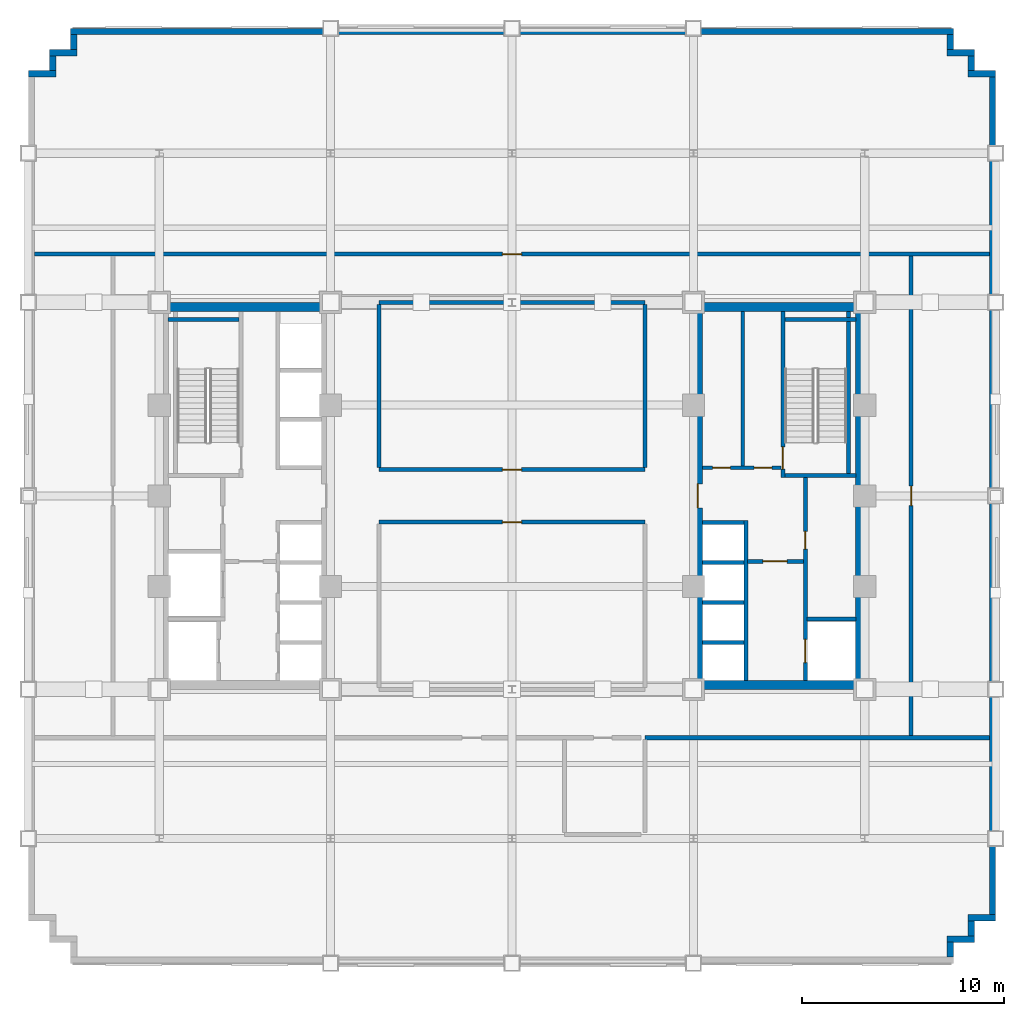
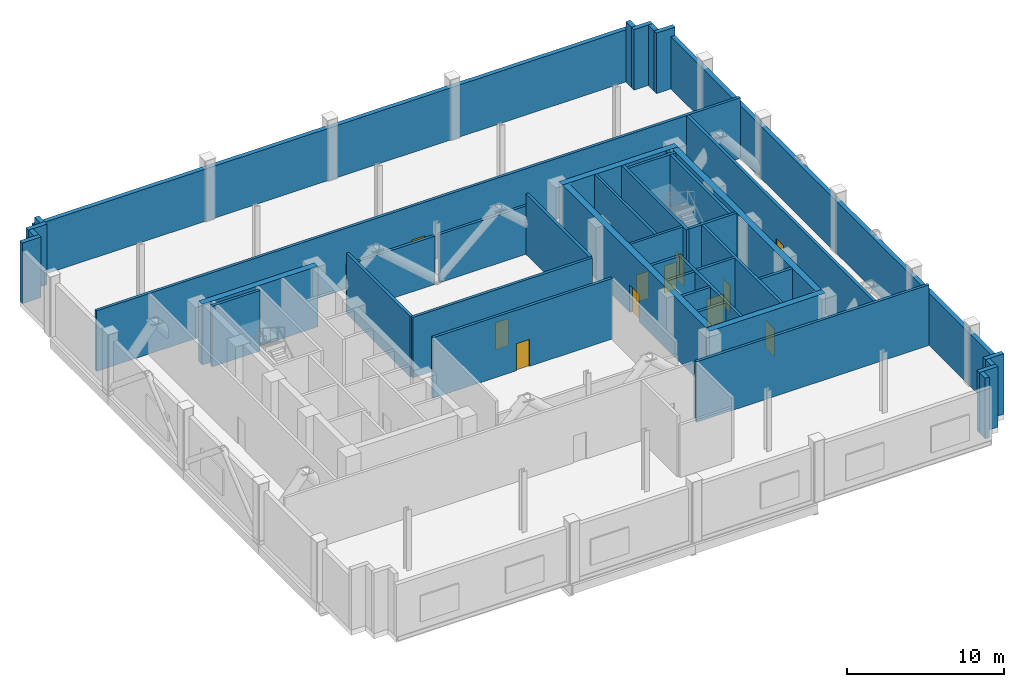
# One storey, part 7 of 12: 43 walls, 11 doors, 11 openings.
"""IFC4 building model written with IfcOpenShell, lengths in metres."""

from ifc_helpers import new_model, si_unit, direction, frame, frame_2d, origin, place, context, subcontext, project, spatial, rectangle, extrude, source, transform, mapped, material, layer, layer_set, type_object, type_shapes, element, fill, save


model = new_model("IFC4")

# Units and contexts
model_context = context("Model", 3, precision=1e-05, world=origin(), true_north=direction((0.0, 1.0)))
body_context = subcontext(model_context, "Body", "Model", "MODEL_VIEW")
ifc_project = project(units=[si_unit("LENGTHUNIT", "METRE"), si_unit("AREAUNIT", "SQUARE_METRE"), si_unit("VOLUMEUNIT", "CUBIC_METRE"), si_unit("PLANEANGLEUNIT", "RADIAN"), si_unit("MASSUNIT", "GRAM", prefix="KILO")], contexts=[model_context])

# Site, building, storey
site_placement = place(None, origin())
site = spatial("IfcSite", under=ifc_project, at=site_placement, CompositionType="ELEMENT")
building_placement = place(site_placement, origin())
building = spatial("IfcBuilding", under=site, at=building_placement, Name="Nuvemarco Arch Tower", CompositionType="ELEMENT")
storey_placement = place(building_placement, frame((0.0, 0.0, 93.300048828125)))
storey = spatial("IfcBuildingStorey", under=building, at=storey_placement, Name="L24", CompositionType="ELEMENT", Elevation=93.300048828125)

# Walls
ifc_material_1 = material(Name="Precast concrete C45/55", Category="concrete")
ifc_layer_1 = layer(ifc_material_1, 0.320068359375, Name="EW-MID-320")
ifc_layer_set_1 = layer_set([ifc_layer_1], Name="Precast concrete C45/55")
wall_type_1 = type_object("IfcWallType", Name="EW-MID-320", PredefinedType="STANDARD", material=ifc_layer_set_1)
wall_1_placement = place(storey_placement, frame((21.739990234375, -22.884033203125, 0.0), z_axis=(0.0, 0.0, 1.0), x_axis=(0.0, 1.0, 0.0)))
element("IfcWall", 1, at=wall_1_placement, inside=storey, type_object=wall_type_1, Name="L24 exterior precast facade wall 2", PredefinedType="STANDARD", context=body_context, shape_type="SweptSolid", body=[
    extrude(rectangle(XDim=0.738037109375, YDim=0.320068359375, at=frame_2d((0.369140625, 0.0))), origin(), (0.0, 0.0, 1.0), 4.7099609375),
])
wall_2_placement = place(storey_placement, frame((21.580078125, -21.989990234375, 0.0), z_axis=(0.0, 0.0, 1.0), x_axis=(1.0, 0.0, 0.0)))
element("IfcWall", 2, at=wall_2_placement, inside=storey, type_object=wall_type_1, Name="L24 exterior precast facade wall 3", PredefinedType="STANDARD", context=body_context, shape_type="SweptSolid", body=[
    extrude(rectangle(XDim=1.369873046875, YDim=0.320068359375, at=frame_2d((0.68505859375, 0.0))), origin(), (0.0, 0.0, 1.0), 4.7099609375),
])
wall_3_placement = place(storey_placement, frame((22.7900390625, -21.833984375, 0.0), z_axis=(0.0, 0.0, 1.0), x_axis=(0.0, 1.0, 0.0)))
element("IfcWall", 3, at=wall_3_placement, inside=storey, type_object=wall_type_1, Name="L24 exterior precast facade wall 4", PredefinedType="STANDARD", context=body_context, shape_type="SweptSolid", body=[
    extrude(rectangle(XDim=0.738037109375, YDim=0.320068359375, at=frame_2d((0.369140625, 0.0))), origin(), (0.0, 0.0, 1.0), 4.7099609375),
])
wall_4_placement = place(storey_placement, frame((22.6298828125, -20.93994140625, 0.0), z_axis=(0.0, 0.0, 1.0), x_axis=(1.0, 0.0, 0.0)))
element("IfcWall", 4, at=wall_4_placement, inside=storey, type_object=wall_type_1, Name="L24 exterior precast facade wall 5", PredefinedType="STANDARD", context=body_context, shape_type="SweptSolid", body=[
    extrude(rectangle(XDim=1.3701171875, YDim=0.320068359375, at=frame_2d((0.68505859375, 0.0))), origin(), (0.0, 0.0, 1.0), 4.7099609375),
])
wall_5_placement = place(storey_placement, frame((23.840087890625, -20.783935546875, 0.0), z_axis=(0.0, 0.0, 1.0), x_axis=(0.0, 1.0, 0.0)))
element("IfcWall", 5, at=wall_5_placement, inside=storey, type_object=wall_type_1, Name="L24 exterior precast facade wall 6", PredefinedType="STANDARD", context=body_context, shape_type="SweptSolid", body=[
    extrude(rectangle(XDim=41.56787109375, YDim=0.320068359375, at=frame_2d((20.783935546875, 0.0))), origin(), (0.0, 0.0, 1.0), 4.054931640625),
])
wall_6_placement = place(storey_placement, frame((22.6298828125, 20.93994140625, 0.0), z_axis=(0.0, 0.0, 1.0), x_axis=(1.0, 0.0, 0.0)))
element("IfcWall", 6, at=wall_6_placement, inside=storey, type_object=wall_type_1, Name="L24 exterior precast facade wall 7", PredefinedType="STANDARD", context=body_context, shape_type="SweptSolid", body=[
    extrude(rectangle(XDim=1.3701171875, YDim=0.320068359375, at=frame_2d((0.68505859375, 0.0))), origin(), (0.0, 0.0, 1.0), 4.7099609375),
])
wall_7_placement = place(storey_placement, frame((22.7900390625, 21.095947265625, 0.0), z_axis=(0.0, 0.0, 1.0), x_axis=(0.0, 1.0, 0.0)))
element("IfcWall", 7, at=wall_7_placement, inside=storey, type_object=wall_type_1, Name="L24 exterior precast facade wall 8", PredefinedType="STANDARD", context=body_context, shape_type="SweptSolid", body=[
    extrude(rectangle(XDim=0.738037109375, YDim=0.320068359375, at=frame_2d((0.369140625, 0.0))), origin(), (0.0, 0.0, 1.0), 4.7099609375),
])
wall_8_placement = place(storey_placement, frame((21.580078125, 21.989990234375, 0.0), z_axis=(0.0, 0.0, 1.0), x_axis=(1.0, 0.0, 0.0)))
element("IfcWall", 8, at=wall_8_placement, inside=storey, type_object=wall_type_1, Name="L24 exterior precast facade wall 9", PredefinedType="STANDARD", context=body_context, shape_type="SweptSolid", body=[
    extrude(rectangle(XDim=1.369873046875, YDim=0.320068359375, at=frame_2d((0.68505859375, 0.0))), origin(), (0.0, 0.0, 1.0), 4.7099609375),
])
wall_9_placement = place(storey_placement, frame((21.739990234375, 22.14599609375, 0.0), z_axis=(0.0, 0.0, 1.0), x_axis=(0.0, 1.0, 0.0)))
element("IfcWall", 9, at=wall_9_placement, inside=storey, type_object=wall_type_1, Name="L24 exterior precast facade wall 10", PredefinedType="STANDARD", context=body_context, shape_type="SweptSolid", body=[
    extrude(rectangle(XDim=0.738037109375, YDim=0.320068359375, at=frame_2d((0.369140625, 0.0))), origin(), (0.0, 0.0, 1.0), 4.7099609375),
])
wall_10_placement = place(storey_placement, frame((-21.89990234375, 23.0400390625, 0.0), z_axis=(0.0, 0.0, 1.0), x_axis=(1.0, 0.0, 0.0)))
element("IfcWall", 10, at=wall_10_placement, inside=storey, type_object=wall_type_1, Name="L24 exterior precast facade wall 11", PredefinedType="STANDARD", context=body_context, shape_type="SweptSolid", body=[
    extrude(rectangle(XDim=43.7998046875, YDim=0.320068359375, at=frame_2d((21.89990234375, 0.0))), origin(), (0.0, 0.0, 1.0), 4.054931640625),
])
wall_11_placement = place(storey_placement, frame((-21.739990234375, 22.14599609375, 0.0), z_axis=(0.0, 0.0, 1.0), x_axis=(0.0, 1.0, 0.0)))
element("IfcWall", 11, at=wall_11_placement, inside=storey, type_object=wall_type_1, Name="L24 exterior precast facade wall 12", PredefinedType="STANDARD", context=body_context, shape_type="SweptSolid", body=[
    extrude(rectangle(XDim=0.738037109375, YDim=0.320068359375, at=frame_2d((0.369140625, 0.0))), origin(), (0.0, 0.0, 1.0), 4.7099609375),
])
wall_12_placement = place(storey_placement, frame((-22.949951171875, 21.989990234375, 0.0), z_axis=(0.0, 0.0, 1.0), x_axis=(1.0, 0.0, 0.0)))
element("IfcWall", 12, at=wall_12_placement, inside=storey, type_object=wall_type_1, Name="L24 exterior precast facade wall 13", PredefinedType="STANDARD", context=body_context, shape_type="SweptSolid", body=[
    extrude(rectangle(XDim=1.369873046875, YDim=0.320068359375, at=frame_2d((0.68505859375, 0.0))), origin(), (0.0, 0.0, 1.0), 4.7099609375),
])
wall_13_placement = place(storey_placement, frame((-22.7900390625, 21.095947265625, 0.0), z_axis=(0.0, 0.0, 1.0), x_axis=(0.0, 1.0, 0.0)))
element("IfcWall", 13, at=wall_13_placement, inside=storey, type_object=wall_type_1, Name="L24 exterior precast facade wall 14", PredefinedType="STANDARD", context=body_context, shape_type="SweptSolid", body=[
    extrude(rectangle(XDim=0.738037109375, YDim=0.320068359375, at=frame_2d((0.369140625, 0.0))), origin(), (0.0, 0.0, 1.0), 4.7099609375),
])
wall_14_placement = place(storey_placement, frame((-24.0, 20.93994140625, 0.0), z_axis=(0.0, 0.0, 1.0), x_axis=(1.0, 0.0, 0.0)))
element("IfcWall", 14, at=wall_14_placement, inside=storey, type_object=wall_type_1, Name="L24 exterior precast facade wall 15", PredefinedType="STANDARD", context=body_context, shape_type="SweptSolid", body=[
    extrude(rectangle(XDim=1.3701171875, YDim=0.320068359375, at=frame_2d((0.68505859375, 0.0))), origin(), (0.0, 0.0, 1.0), 4.7099609375),
])
ifc_material_2 = material(Name="Concrete C60/75", Category="concrete")
ifc_layer_2 = layer(ifc_material_2, 0.449951171875, Name="WL-CORE-450")
ifc_layer_set_2 = layer_set([ifc_layer_2], Name="Concrete C60/75")
wall_type_2 = type_object("IfcWallType", Name="WL-CORE-450", PredefinedType="SHEAR", material=ifc_layer_set_2)
for number, where, z_axis, x_axis, name in (
    (15, (-17.5, 9.375, 0.0), (0.0, 0.0, 1.0), (1.0, 0.0, 0.0), "L24 W-core shear wall N"),
    (16, (9.0, -9.375, 0.0), (0.0, 0.0, 1.0), (1.0, 0.0, 0.0), "L24 E-core shear wall S"),
    (17, (9.0, 9.375, 0.0), (0.0, 0.0, 1.0), (1.0, 0.0, 0.0), "L24 E-core shear wall N"),
):
    element("IfcWall", number, at=place(storey_placement, frame(where, z_axis=z_axis, x_axis=x_axis)), inside=storey, type_object=wall_type_2, Name=name, PredefinedType="SHEAR", context=body_context, shape_type="SweptSolid", body=[
        extrude(rectangle(XDim=8.5, YDim=0.449951171875, at=frame_2d((4.25, 0.0))), origin(), (0.0, 0.0, 1.0), 4.719970703125),
    ])

# Wall, opening, door
wall_15_placement = place(storey_placement, frame((9.22509765625, -9.155029296875, 0.0), z_axis=(0.0, 0.0, 1.0), x_axis=(0.0, 1.0, 0.0)))
wall_15 = element("IfcWall", 18, at=wall_15_placement, inside=storey, type_object=wall_type_2, Name="L24 E-core shear wall W", PredefinedType="SHEAR", context=body_context, shape_type="SweptSolid", body=[
    extrude(rectangle(XDim=18.31005859375, YDim=0.449951171875, at=frame_2d((9.155029296875, 0.0))), origin(), (0.0, 0.0, 1.0), 4.719970703125),
])
opening_1_placement = place(wall_15_placement, frame((8.554931640625, 0.0, 0.0)))
opening_1 = element("IfcOpeningElement", 19, at=opening_1_placement, cuts=wall_15, Name="Opening FD-2", PredefinedType="OPENING", context=body_context, shape_type="SweptSolid", body=[
    extrude(rectangle(XDim=1.199951171875, YDim=2.14990234375, at=frame_2d((0.60009765625, 1.074951171875))), frame((0.0, 0.23486328125, 0.0), z_axis=(0.0, -1.0, 0.0), x_axis=(1.0, 0.0, 0.0)), (0.0, 0.0, 1.0), 0.469970703125),
])
ifc_material_3 = material(Name="Anodised steel fire door", Category="steel")
door_type_1 = type_object("IfcDoorType", Name="DR-FFLOB-FD", OperationType="NOTDEFINED", PredefinedType="DOOR", material=ifc_material_3)
shared_shape_1 = source(origin(), body_context, "Body", "SweptSolid", [
    extrude(rectangle(XDim=1.199951171875, YDim=2.14990234375, at=frame_2d((0.60009765625, 1.074951171875))), frame((0.0, 0.02490234375, 0.0), z_axis=(0.0, -1.0, 0.0), x_axis=(1.0, 0.0, 0.0)), (0.0, 0.0, 1.0), 0.050048828125),
])
type_shapes(door_type_1, [shared_shape_1])
door_1_placement = place(opening_1_placement, origin())
door_1 = element("IfcDoor", 20, at=door_1_placement, inside=storey, type_object=door_type_1, Name="L24 door FD-L24-ECORE-W", OperationType="SINGLE_SWING_LEFT", OverallHeight=2.14990234375, OverallWidth=1.199951171875, PredefinedType="DOOR", context=body_context, shape_type="MappedRepresentation", body=[
    mapped(shared_shape_1, transform((0.0, 0.0, 0.0), scale=1.0)),
])
fill(opening_1, door_1)

# Wall
wall_16_placement = place(storey_placement, frame((17.27490234375, -9.155029296875, 0.0), z_axis=(0.0, 0.0, 1.0), x_axis=(0.0, 1.0, 0.0)))
element("IfcWall", 21, at=wall_16_placement, inside=storey, type_object=wall_type_2, Name="L24 E-core shear wall E", PredefinedType="SHEAR", context=body_context, shape_type="SweptSolid", body=[
    extrude(rectangle(XDim=18.31005859375, YDim=0.449951171875, at=frame_2d((9.155029296875, 0.0))), origin(), (0.0, 0.0, 1.0), 4.719970703125),
])

# Wall, openings, doors
ifc_material_4 = material(Name="Fire-rated gypsum drywall partition")
ifc_layer_3 = layer(ifc_material_4, 0.179931640625, Name="WL-CORR-180")
ifc_layer_set_3 = layer_set([ifc_layer_3], Name="Fire-rated gypsum drywall partition")
wall_type_3 = type_object("IfcWallType", Name="WL-CORR-180", PredefinedType="PARTITIONING", material=ifc_layer_set_3)
wall_17_placement = place(storey_placement, frame((9.445068359375, 1.39990234375, 0.0), z_axis=(0.0, 0.0, 1.0), x_axis=(1.0, 0.0, 0.0)))
wall_17 = element("IfcWall", 22, at=wall_17_placement, inside=storey, type_object=wall_type_3, Name="L24 interior wall IW-L24-EK-S", PredefinedType="PARTITIONING", context=body_context, shape_type="SweptSolid", body=[
    extrude(rectangle(XDim=3.89990234375, YDim=0.179931640625, at=frame_2d((1.949951171875, 0.0))), origin(), (0.0, 0.0, 1.0), 4.7099609375),
])
opening_2_placement = place(wall_17_placement, frame((0.514892578125, 0.0, 0.0)))
opening_2 = element("IfcOpeningElement", 23, at=opening_2_placement, cuts=wall_17, Name="Opening FD-4", PredefinedType="OPENING", context=body_context, shape_type="SweptSolid", body=[
    extrude(rectangle(XDim=0.8798828125, YDim=2.10009765625, at=frame_2d((0.43994140625, 1.050048828125))), frame((0.0, 0.099853515625, 0.0), z_axis=(0.0, -1.0, 0.0), x_axis=(1.0, 0.0, 0.0)), (0.0, 0.0, 1.0), 0.199951171875),
])
opening_3_placement = place(wall_17_placement, frame((2.56494140625, 0.0, 0.0)))
opening_3 = element("IfcOpeningElement", 24, at=opening_3_placement, cuts=wall_17, Name="Opening FD-4", PredefinedType="OPENING", context=body_context, shape_type="SweptSolid", body=[
    extrude(rectangle(XDim=0.8798828125, YDim=2.10009765625, at=frame_2d((0.43994140625, 1.050048828125))), frame((0.0, 0.099853515625, 0.0), z_axis=(0.0, -1.0, 0.0), x_axis=(1.0, 0.0, 0.0)), (0.0, 0.0, 1.0), 0.199951171875),
])
door_type_2 = type_object("IfcDoorType", Name="DR-RISER-FD", OperationType="NOTDEFINED", PredefinedType="DOOR", material=ifc_material_3)
shared_shape_2 = source(origin(), body_context, "Body", "SweptSolid", [
    extrude(rectangle(XDim=0.8798828125, YDim=2.10009765625, at=frame_2d((0.43994140625, 1.050048828125))), frame((0.0, 0.02490234375, 0.0), z_axis=(0.0, -1.0, 0.0), x_axis=(1.0, 0.0, 0.0)), (0.0, 0.0, 1.0), 0.050048828125),
])
type_shapes(door_type_2, [shared_shape_2])
door_2_placement = place(opening_2_placement, origin())
door_2 = element("IfcDoor", 25, at=door_2_placement, inside=storey, type_object=door_type_2, Name="L24 door FD-L24-EK2A", OperationType="SINGLE_SWING_RIGHT", OverallHeight=2.10009765625, OverallWidth=0.8798828125, PredefinedType="DOOR", context=body_context, shape_type="MappedRepresentation", body=[
    mapped(shared_shape_2, transform((0.0, 0.0, 0.0), scale=1.0)),
])
fill(opening_2, door_2)
door_3_placement = place(opening_3_placement, origin())
door_3 = element("IfcDoor", 26, at=door_3_placement, inside=storey, type_object=door_type_2, Name="L24 door FD-L24-EK2B", OperationType="SINGLE_SWING_LEFT", OverallHeight=2.10009765625, OverallWidth=0.8798828125, PredefinedType="DOOR", context=body_context, shape_type="MappedRepresentation", body=[
    mapped(shared_shape_2, transform((0.0, 0.0, 0.0), scale=1.0)),
])
fill(opening_3, door_3)

# Walls
wall_18_placement = place(storey_placement, frame((11.449951171875, 1.489990234375, 0.0), z_axis=(0.0, 0.0, 1.0), x_axis=(0.0, 1.0, 0.0)))
element("IfcWall", 27, at=wall_18_placement, inside=storey, type_object=wall_type_3, Name="L24 interior wall IW-L24-EK2", PredefinedType="PARTITIONING", context=body_context, shape_type="SweptSolid", body=[
    extrude(rectangle(XDim=7.6650390625, YDim=0.179931640625, at=frame_2d((3.83251953125, 0.0))), origin(), (0.0, 0.0, 1.0), 4.7099609375),
])
ifc_layer_4 = layer(ifc_material_1, 0.199951171875, Name="WL-PLANT-200")
ifc_layer_set_4 = layer_set([ifc_layer_4], Name="Precast concrete C45/55")
wall_type_4 = type_object("IfcWallType", Name="WL-PLANT-200", PredefinedType="STANDARD", material=ifc_layer_set_4)
wall_19_placement = place(storey_placement, frame((6.60009765625, -12.0, 0.0), z_axis=(0.0, 0.0, 1.0), x_axis=(1.0, 0.0, 0.0)))
element("IfcWall", 28, at=wall_19_placement, inside=storey, type_object=wall_type_4, Name="L24 interior wall IW-L24-003", PredefinedType="STANDARD", context=body_context, shape_type="SweptSolid", body=[
    extrude(rectangle(XDim=17.079833984375, YDim=0.199951171875, at=frame_2d((8.5400390625, 0.0))), origin(), (0.0, 0.0, 1.0), 4.7099609375),
])

# Wall, opening, door
wall_20_placement = place(storey_placement, frame((-6.60009765625, -1.300048828125, 0.0), z_axis=(0.0, 0.0, 1.0), x_axis=(1.0, 0.0, 0.0)))
wall_20 = element("IfcWall", 29, at=wall_20_placement, inside=storey, type_object=wall_type_4, Name="L24 interior wall IW-L24-006", PredefinedType="STANDARD", context=body_context, shape_type="SweptSolid", body=[
    extrude(rectangle(XDim=13.2001953125, YDim=0.199951171875, at=frame_2d((6.60009765625, 0.0))), origin(), (0.0, 0.0, 1.0), 4.7099609375),
])
opening_4_placement = place(wall_20_placement, frame((6.1201171875, 0.0, 0.0)))
opening_4 = element("IfcOpeningElement", 30, at=opening_4_placement, cuts=wall_20, Name="Opening FD-5", PredefinedType="OPENING", context=body_context, shape_type="SweptSolid", body=[
    extrude(rectangle(XDim=0.9599609375, YDim=2.10009765625, at=frame_2d((0.47998046875, 1.050048828125))), frame((0.0, 0.10986328125, 0.0), z_axis=(0.0, -1.0, 0.0), x_axis=(1.0, 0.0, 0.0)), (0.0, 0.0, 1.0), 0.219970703125),
])
ifc_material_5 = material(Name="Timber fire door", Category="wood")
door_type_3 = type_object("IfcDoorType", Name="DR-CORR-FD", OperationType="NOTDEFINED", PredefinedType="DOOR", material=ifc_material_5)
shared_shape_3 = source(origin(), body_context, "Body", "SweptSolid", [
    extrude(rectangle(XDim=0.9599609375, YDim=2.10009765625, at=frame_2d((0.47998046875, 1.050048828125))), frame((0.0, 0.02490234375, 0.0), z_axis=(0.0, -1.0, 0.0), x_axis=(1.0, 0.0, 0.0)), (0.0, 0.0, 1.0), 0.050048828125),
])
type_shapes(door_type_3, [shared_shape_3])
door_4_placement = place(opening_4_placement, origin())
door_4 = element("IfcDoor", 31, at=door_4_placement, inside=storey, type_object=door_type_3, Name="L24 door DR-L24-PL_PUMP", OperationType="SINGLE_SWING_LEFT", OverallHeight=2.10009765625, OverallWidth=0.9599609375, PredefinedType="DOOR", context=body_context, shape_type="MappedRepresentation", body=[
    mapped(shared_shape_3, transform((0.0, 0.0, 0.0), scale=1.0)),
])
fill(opening_4, door_4)

wall_21_placement = place(storey_placement, frame((-6.60009765625, 1.300048828125, 0.0), z_axis=(0.0, 0.0, 1.0), x_axis=(1.0, 0.0, 0.0)))
wall_21 = element("IfcWall", 32, at=wall_21_placement, inside=storey, type_object=wall_type_4, Name="L24 interior wall IW-L24-007", PredefinedType="STANDARD", context=body_context, shape_type="SweptSolid", body=[
    extrude(rectangle(XDim=13.2001953125, YDim=0.199951171875, at=frame_2d((6.60009765625, 0.0))), origin(), (0.0, 0.0, 1.0), 4.7099609375),
])
opening_5_placement = place(wall_21_placement, frame((6.1201171875, 0.0, 0.0)))
opening_5 = element("IfcOpeningElement", 33, at=opening_5_placement, cuts=wall_21, Name="Opening FD-5", PredefinedType="OPENING", context=body_context, shape_type="SweptSolid", body=[
    extrude(rectangle(XDim=0.9599609375, YDim=2.10009765625, at=frame_2d((0.47998046875, 1.050048828125))), frame((0.0, 0.10986328125, 0.0), z_axis=(0.0, -1.0, 0.0), x_axis=(1.0, 0.0, 0.0)), (0.0, 0.0, 1.0), 0.219970703125),
])
door_5_placement = place(opening_5_placement, origin())
door_5 = element("IfcDoor", 34, at=door_5_placement, inside=storey, type_object=door_type_3, Name="L24 door DR-L24-PL_ELEC", OperationType="SINGLE_SWING_RIGHT", OverallHeight=2.10009765625, OverallWidth=0.9599609375, PredefinedType="DOOR", context=body_context, shape_type="MappedRepresentation", body=[
    mapped(shared_shape_3, transform((0.0, 0.0, 0.0), scale=1.0)),
])
fill(opening_5, door_5)

# Walls
for number, where, z_axis, x_axis, name in (
    (35, (-6.60009765625, 9.60009765625, 0.0), (0.0, 0.0, 1.0), (1.0, 0.0, 0.0), "L24 interior wall IW-L24-008"),
    (36, (0.176025390625, 9.60009765625, 0.0), (0.0, 0.0, 1.0), (1.0, 0.0, 0.0), "L24 interior wall IW-L24-009"),
):
    element("IfcWall", number, at=place(storey_placement, frame(where, z_axis=z_axis, x_axis=x_axis)), inside=storey, type_object=wall_type_4, Name=name, PredefinedType="STANDARD", context=body_context, shape_type="SweptSolid", body=[
        extrude(rectangle(XDim=6.424072265625, YDim=0.199951171875, at=frame_2d((3.2119140625, 0.0))), origin(), (0.0, 0.0, 1.0), 3.7548828125),
    ])

# Wall, opening, door
wall_22_placement = place(storey_placement, frame((-23.679931640625, 12.0, 0.0), z_axis=(0.0, 0.0, 1.0), x_axis=(1.0, 0.0, 0.0)))
wall_22 = element("IfcWall", 37, at=wall_22_placement, inside=storey, type_object=wall_type_4, Name="L24 interior wall IW-L24-010", PredefinedType="STANDARD", context=body_context, shape_type="SweptSolid", body=[
    extrude(rectangle(XDim=47.35986328125, YDim=0.199951171875, at=frame_2d((23.679931640625, 0.0))), origin(), (0.0, 0.0, 1.0), 4.7099609375),
])
opening_6_placement = place(wall_22_placement, frame((23.199951171875, 0.0, 0.0)))
opening_6 = element("IfcOpeningElement", 38, at=opening_6_placement, cuts=wall_22, Name="Opening FD-5", PredefinedType="OPENING", context=body_context, shape_type="SweptSolid", body=[
    extrude(rectangle(XDim=0.9599609375, YDim=2.10009765625, at=frame_2d((0.47998046875, 1.050048828125))), frame((0.0, 0.10986328125, 0.0), z_axis=(0.0, -1.0, 0.0), x_axis=(1.0, 0.0, 0.0)), (0.0, 0.0, 1.0), 0.219970703125),
])
door_6_placement = place(opening_6_placement, origin())
door_6 = element("IfcDoor", 39, at=door_6_placement, inside=storey, type_object=door_type_3, Name="L24 door DR-L24-REF_NORTH", OperationType="SINGLE_SWING_RIGHT", OverallHeight=2.10009765625, OverallWidth=0.9599609375, PredefinedType="DOOR", context=body_context, shape_type="MappedRepresentation", body=[
    mapped(shared_shape_3, transform((0.0, 0.0, 0.0), scale=1.0)),
])
fill(opening_6, door_6)

# Walls
for number, where, z_axis, x_axis, name in (
    (40, (-6.60009765625, 1.39599609375, 0.0), (0.0, 0.0, 1.0), (0.0, 1.0, 0.0), "L24 interior wall IW-L24-013"),
    (41, (6.60009765625, 1.39599609375, 0.0), (0.0, 0.0, 1.0), (0.0, 1.0, 0.0), "L24 interior wall IW-L24-017"),
):
    element("IfcWall", number, at=place(storey_placement, frame(where, z_axis=z_axis, x_axis=x_axis)), inside=storey, type_object=wall_type_4, Name=name, PredefinedType="STANDARD", context=body_context, shape_type="SweptSolid", body=[
        extrude(rectangle(XDim=8.10791015625, YDim=0.199951171875, at=frame_2d((4.053955078125, 0.0))), origin(), (0.0, 0.0, 1.0), 4.7099609375),
    ])

# Wall, opening, door
wall_23_placement = place(storey_placement, frame((19.800048828125, -11.904052734375, 0.0), z_axis=(0.0, 0.0, 1.0), x_axis=(0.0, 1.0, 0.0)))
wall_23 = element("IfcWall", 42, at=wall_23_placement, inside=storey, type_object=wall_type_4, Name="L24 interior wall IW-L24-018", PredefinedType="STANDARD", context=body_context, shape_type="SweptSolid", body=[
    extrude(rectangle(XDim=23.80810546875, YDim=0.199951171875, at=frame_2d((11.904052734375, 0.0))), origin(), (0.0, 0.0, 1.0), 4.7099609375),
])
opening_7_placement = place(wall_23_placement, frame((11.424072265625, 0.0, 0.0)))
opening_7 = element("IfcOpeningElement", 43, at=opening_7_placement, cuts=wall_23, Name="Opening FD-5", PredefinedType="OPENING", context=body_context, shape_type="SweptSolid", body=[
    extrude(rectangle(XDim=0.9599609375, YDim=2.10009765625, at=frame_2d((0.47998046875, 1.050048828125))), frame((0.0, 0.10986328125, 0.0), z_axis=(0.0, -1.0, 0.0), x_axis=(1.0, 0.0, 0.0)), (0.0, 0.0, 1.0), 0.219970703125),
])
door_7_placement = place(opening_7_placement, origin())
door_7 = element("IfcDoor", 44, at=door_7_placement, inside=storey, type_object=door_type_3, Name="L24 door DR-L24-PL_CHIL", OperationType="SINGLE_SWING_LEFT", OverallHeight=2.10009765625, OverallWidth=0.9599609375, PredefinedType="DOOR", context=body_context, shape_type="MappedRepresentation", body=[
    mapped(shared_shape_3, transform((0.0, 0.0, 0.0), scale=1.0)),
])
fill(opening_7, door_7)

# Wall
ifc_material_6 = material(Name="Concrete C50/60", Category="concrete")
ifc_layer_5 = layer(ifc_material_6, 0.199951171875, Name="WL-SHAFT-220")
ifc_layer_set_5 = layer_set([ifc_layer_5], Name="Concrete C50/60")
wall_type_5 = type_object("IfcWallType", Name="WL-SHAFT-220", PredefinedType="SHEAR", material=ifc_layer_set_5)
wall_24_placement = place(storey_placement, frame((-17.054931640625, 8.75, 0.0), z_axis=(0.0, 0.0, 1.0), x_axis=(1.0, 0.0, 0.0)))
element("IfcWall", 45, at=wall_24_placement, inside=storey, type_object=wall_type_5, Name="L24 structural shaft wall SW-L24-W-ST1N", PredefinedType="SHEAR", context=body_context, shape_type="SweptSolid", body=[
    extrude(rectangle(XDim=3.52001953125, YDim=0.199951171875, at=frame_2d((1.760009765625, 0.0))), origin(), (0.0, 0.0, 1.0), 4.719970703125),
])

# Wall, opening, door
wall_25_placement = place(storey_placement, frame((13.43994140625, 0.89990234375, 0.0), z_axis=(0.0, 0.0, 1.0), x_axis=(0.0, 1.0, 0.0)))
wall_25 = element("IfcWall", 46, at=wall_25_placement, inside=storey, type_object=wall_type_5, Name="L24 structural shaft wall SW-L24-E-ST2W", PredefinedType="SHEAR", context=body_context, shape_type="SweptSolid", body=[
    extrude(rectangle(XDim=8.255126953125, YDim=0.199951171875, at=frame_2d((4.12744140625, 0.0))), origin(), (0.0, 0.0, 1.0), 4.719970703125),
])
opening_8_placement = place(wall_25_placement, frame((0.429931640625, 0.0, 0.0)))
opening_8 = element("IfcOpeningElement", 47, at=opening_8_placement, cuts=wall_25, Name="Opening FD-1", PredefinedType="OPENING", context=body_context, shape_type="SweptSolid", body=[
    extrude(rectangle(XDim=1.10009765625, YDim=2.14990234375, at=frame_2d((0.550048828125, 1.074951171875))), frame((0.0, 0.10986328125, 0.0), z_axis=(0.0, -1.0, 0.0), x_axis=(1.0, 0.0, 0.0)), (0.0, 0.0, 1.0), 0.219970703125),
])
door_type_4 = type_object("IfcDoorType", Name="DR-STAIR-FD", OperationType="NOTDEFINED", PredefinedType="DOOR", material=ifc_material_3)
shared_shape_4 = source(origin(), body_context, "Body", "SweptSolid", [
    extrude(rectangle(XDim=1.10009765625, YDim=2.14990234375, at=frame_2d((0.550048828125, 1.074951171875))), frame((0.0, 0.02490234375, 0.0), z_axis=(0.0, -1.0, 0.0), x_axis=(1.0, 0.0, 0.0)), (0.0, 0.0, 1.0), 0.050048828125),
])
type_shapes(door_type_4, [shared_shape_4])
door_8_placement = place(opening_8_placement, origin())
door_8 = element("IfcDoor", 48, at=door_8_placement, inside=storey, type_object=door_type_4, Name="L24 door FD-L24-ST2", OperationType="SINGLE_SWING_LEFT", OverallHeight=2.14990234375, OverallWidth=1.10009765625, PredefinedType="DOOR", context=body_context, shape_type="MappedRepresentation", body=[
    mapped(shared_shape_4, transform((0.0, 0.0, 0.0), scale=1.0)),
])
fill(opening_8, door_8)

# Walls
for number, where, z_axis, x_axis, name in (
    (49, (13.534912109375, 1.0, 0.0), (0.0, 0.0, 1.0), (1.0, 0.0, 0.0), "L24 structural shaft wall SW-L24-E-ST2S"),
    (50, (13.534912109375, 8.75, 0.0), (0.0, 0.0, 1.0), (1.0, 0.0, 0.0), "L24 structural shaft wall SW-L24-E-ST2N"),
):
    element("IfcWall", number, at=place(storey_placement, frame(where, z_axis=z_axis, x_axis=x_axis)), inside=storey, type_object=wall_type_5, Name=name, PredefinedType="SHEAR", context=body_context, shape_type="SweptSolid", body=[
        extrude(rectangle(XDim=3.52001953125, YDim=0.199951171875, at=frame_2d((1.760009765625, 0.0))), origin(), (0.0, 0.0, 1.0), 4.719970703125),
    ])
wall_26_placement = place(storey_placement, frame((16.699951171875, 1.094970703125, 0.0), z_axis=(0.0, 0.0, 1.0), x_axis=(0.0, 1.0, 0.0)))
element("IfcWall", 51, at=wall_26_placement, inside=storey, type_object=wall_type_5, Name="L24 structural shaft wall SW-L24-E-ST2E", PredefinedType="SHEAR", context=body_context, shape_type="SweptSolid", body=[
    extrude(rectangle(XDim=8.06005859375, YDim=0.199951171875, at=frame_2d((4.030029296875, 0.0))), origin(), (0.0, 0.0, 1.0), 4.719970703125),
])

# Wall, openings, doors
wall_27_placement = place(storey_placement, frame((14.550048828125, -9.155029296875, 0.0), z_axis=(0.0, 0.0, 1.0), x_axis=(0.0, 1.0, 0.0)))
wall_27 = element("IfcWall", 52, at=wall_27_placement, inside=storey, type_object=wall_type_5, Name="L24 structural shaft wall SW-L24-E-SHW", PredefinedType="SHEAR", context=body_context, shape_type="SweptSolid", body=[
    extrude(rectangle(XDim=10.06005859375, YDim=0.199951171875, at=frame_2d((5.030029296875, 0.0))), origin(), (0.0, 0.0, 1.0), 4.719970703125),
])
opening_9_placement = place(wall_27_placement, frame((6.514892578125, 0.0, 0.0)))
opening_9 = element("IfcOpeningElement", 53, at=opening_9_placement, cuts=wall_27, Name="Opening FD-4", PredefinedType="OPENING", context=body_context, shape_type="SweptSolid", body=[
    extrude(rectangle(XDim=0.8798828125, YDim=2.10009765625, at=frame_2d((0.43994140625, 1.050048828125))), frame((0.0, 0.10986328125, 0.0), z_axis=(0.0, -1.0, 0.0), x_axis=(1.0, 0.0, 0.0)), (0.0, 0.0, 1.0), 0.219970703125),
])
opening_10_placement = place(wall_27_placement, frame((0.8798828125, 0.0, 0.0)))
opening_10 = element("IfcOpeningElement", 54, at=opening_10_placement, cuts=wall_27, Name="Opening LD-2", PredefinedType="OPENING", context=body_context, shape_type="SweptSolid", body=[
    extrude(rectangle(XDim=1.14990234375, YDim=2.14990234375, at=frame_2d((0.574951171875, 1.074951171875))), frame((0.0, 0.10986328125, 0.0), z_axis=(0.0, -1.0, 0.0), x_axis=(1.0, 0.0, 0.0)), (0.0, 0.0, 1.0), 0.219970703125),
])
door_9_placement = place(opening_9_placement, origin())
door_9 = element("IfcDoor", 55, at=door_9_placement, inside=storey, type_object=door_type_2, Name="L24 door FD-L24-ERIS", OperationType="SINGLE_SWING_LEFT", OverallHeight=2.10009765625, OverallWidth=0.8798828125, PredefinedType="DOOR", context=body_context, shape_type="MappedRepresentation", body=[
    mapped(shared_shape_2, transform((0.0, 0.0, 0.0), scale=1.0)),
])
fill(opening_9, door_9)
ifc_material_7 = material(Name="Stainless steel lift door", Category="steel")
door_type_5 = type_object("IfcDoorType", Name="DR-LIFT-FIRE", OperationType="DOUBLE_DOOR_SLIDING", PredefinedType="DOOR", material=ifc_material_7)
shared_shape_5 = source(origin(), body_context, "Body", "SweptSolid", [
    extrude(rectangle(XDim=1.14990234375, YDim=2.14990234375, at=frame_2d((0.574951171875, 1.074951171875))), frame((0.0, 0.02490234375, 0.0), z_axis=(0.0, -1.0, 0.0), x_axis=(1.0, 0.0, 0.0)), (0.0, 0.0, 1.0), 0.050048828125),
])
type_shapes(door_type_5, [shared_shape_5])
door_10_placement = place(opening_10_placement, origin())
door_10 = element("IfcDoor", 56, at=door_10_placement, inside=storey, type_object=door_type_5, Name="L24 Lift landing sliding door FFL-2", OperationType="DOUBLE_DOOR_SLIDING", OverallHeight=2.14990234375, OverallWidth=1.14990234375, PredefinedType="DOOR", context=body_context, shape_type="MappedRepresentation", body=[
    mapped(shared_shape_5, transform((0.0, 0.0, 0.0), scale=1.0)),
])
fill(opening_10, door_10)

# Walls
wall_28_placement = place(storey_placement, frame((14.64501953125, -6.10009765625, 0.0), z_axis=(0.0, 0.0, 1.0), x_axis=(1.0, 0.0, 0.0)))
element("IfcWall", 57, at=wall_28_placement, inside=storey, type_object=wall_type_5, Name="L24 structural shaft wall SW-L24-E-SH1", PredefinedType="SHEAR", context=body_context, shape_type="SweptSolid", body=[
    extrude(rectangle(XDim=2.409912109375, YDim=0.199951171875, at=frame_2d((1.205078125, 0.0))), origin(), (0.0, 0.0, 1.0), 4.719970703125),
])
wall_29_placement = place(storey_placement, frame((11.60009765625, -9.155029296875, 0.0), z_axis=(0.0, 0.0, 1.0), x_axis=(0.0, 1.0, 0.0)))
element("IfcWall", 58, at=wall_29_placement, inside=storey, type_object=wall_type_5, Name="L24 structural shaft wall SW-L24-E-PME", PredefinedType="SHEAR", context=body_context, shape_type="SweptSolid", body=[
    extrude(rectangle(XDim=7.925048828125, YDim=0.199951171875, at=frame_2d((3.96240234375, 0.0))), origin(), (0.0, 0.0, 1.0), 4.719970703125),
])

# Wall, opening, door
wall_30_placement = place(storey_placement, frame((11.695068359375, -3.25, 0.0), z_axis=(0.0, 0.0, 1.0), x_axis=(1.0, 0.0, 0.0)))
wall_30 = element("IfcWall", 59, at=wall_30_placement, inside=storey, type_object=wall_type_5, Name="L24 structural shaft wall SW-L24-E-FFN", PredefinedType="SHEAR", context=body_context, shape_type="SweptSolid", body=[
    extrude(rectangle(XDim=2.760009765625, YDim=0.199951171875, at=frame_2d((1.3798828125, 0.0))), origin(), (0.0, 0.0, 1.0), 4.719970703125),
])
opening_11_placement = place(wall_30_placement, frame((0.7548828125, 0.0, 0.0)))
opening_11 = element("IfcOpeningElement", 60, at=opening_11_placement, cuts=wall_30, Name="Opening FD-2", PredefinedType="OPENING", context=body_context, shape_type="SweptSolid", body=[
    extrude(rectangle(XDim=1.199951171875, YDim=2.14990234375, at=frame_2d((0.60009765625, 1.074951171875))), frame((0.0, 0.10986328125, 0.0), z_axis=(0.0, -1.0, 0.0), x_axis=(1.0, 0.0, 0.0)), (0.0, 0.0, 1.0), 0.219970703125),
])
door_11_placement = place(opening_11_placement, origin())
door_11 = element("IfcDoor", 61, at=door_11_placement, inside=storey, type_object=door_type_1, Name="L24 door FD-L24-EFF2", OperationType="SINGLE_SWING_LEFT", OverallHeight=2.14990234375, OverallWidth=1.199951171875, PredefinedType="DOOR", context=body_context, shape_type="MappedRepresentation", body=[
    mapped(shared_shape_1, transform((0.0, 0.0, 0.0), scale=1.0)),
])
fill(opening_11, door_11)

# Walls
for number, where, z_axis, x_axis, name in (
    (62, (9.445068359375, -7.27001953125, 0.0), (0.0, 0.0, 1.0), (1.0, 0.0, 0.0), "L24 structural shaft wall SW-L24-E-PMD1"),
    (63, (9.445068359375, -5.2900390625, 0.0), (0.0, 0.0, 1.0), (1.0, 0.0, 0.0), "L24 structural shaft wall SW-L24-E-PMD2"),
    (64, (9.445068359375, -3.31005859375, 0.0), (0.0, 0.0, 1.0), (1.0, 0.0, 0.0), "L24 structural shaft wall SW-L24-E-PMD3"),
    (65, (9.445068359375, -1.330078125, 0.0), (0.0, 0.0, 1.0), (1.0, 0.0, 0.0), "L24 structural shaft wall SW-L24-E-PMD4"),
):
    element("IfcWall", number, at=place(storey_placement, frame(where, z_axis=z_axis, x_axis=x_axis)), inside=storey, type_object=wall_type_5, Name=name, PredefinedType="SHEAR", context=body_context, shape_type="SweptSolid", body=[
        extrude(rectangle(XDim=2.059814453125, YDim=0.199951171875, at=frame_2d((1.02978515625, 0.0))), origin(), (0.0, 0.0, 1.0), 4.719970703125),
    ])

save(model, "model.ifc")
